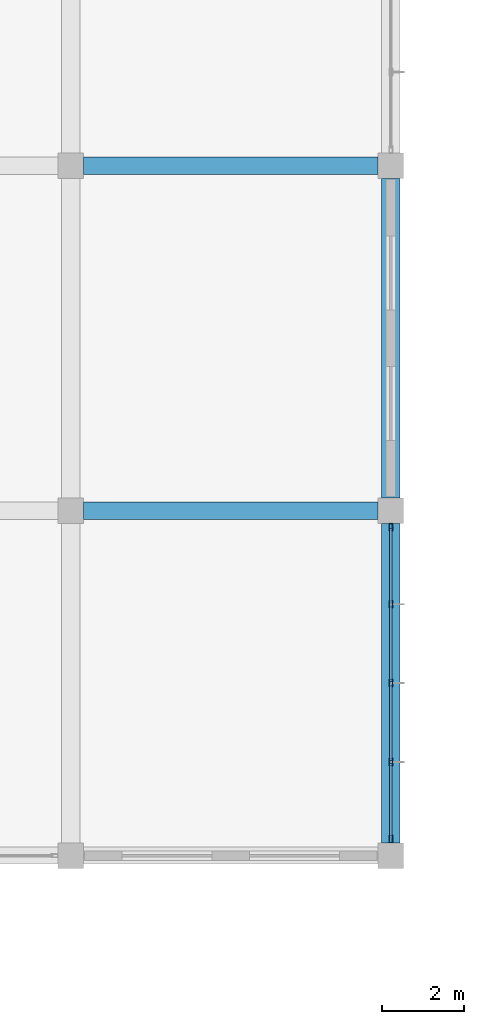
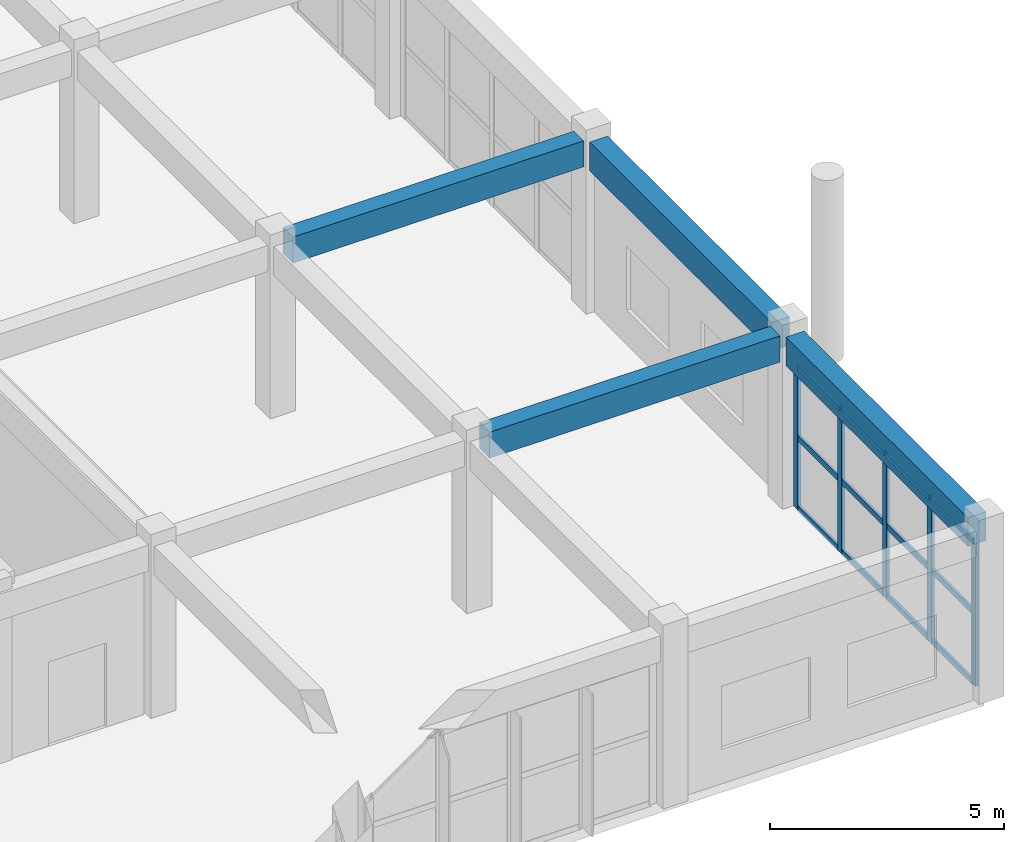
# One storey, part 92 of 167: 17 members, 4 beams, 1 element without a shape of its own.
"""IFC4 building model written with IfcOpenShell, lengths in metres."""

from ifc_helpers import new_model, si_unit, direction, frame, origin, origin_2d, place, context, subcontext, project, spatial, rectangle, hollow_rectangle, extrude, material, layer, layer_set, material_profile, profile_set, type_object, element, aggregate, save


model = new_model("IFC4")

# Units and contexts
model_context = context("Model", 3, precision=1e-05, world=origin(), true_north=direction((0.0, 1.0)))
body_context = subcontext(model_context, "Body", "Model", "MODEL_VIEW")
ifc_project = project(units=[si_unit("LENGTHUNIT", "METRE"), si_unit("AREAUNIT", "SQUARE_METRE"), si_unit("VOLUMEUNIT", "CUBIC_METRE"), si_unit("PLANEANGLEUNIT", "RADIAN"), si_unit("MASSUNIT", "GRAM", prefix="KILO")], contexts=[model_context])

# Site, building, storey
site_placement = place(None, origin())
site = spatial("IfcSite", under=ifc_project, at=site_placement, CompositionType="ELEMENT")
building_placement = place(site_placement, origin())
building = spatial("IfcBuilding", under=site, at=building_placement, Name="Zizhar Promenade General Hospital", CompositionType="ELEMENT")
storey_placement = place(building_placement, frame((0.0, 0.0, 9.60009765625)))
storey = spatial("IfcBuildingStorey", under=building, at=storey_placement, Name="L02", CompositionType="ELEMENT", Elevation=9.60009765625)

# Beams
ifc_material_1 = material(Name="Concrete C35/45", Category="concrete")
ifc_material_profile_1 = material_profile(ifc_material_1, rectangle(XDim=0.419921875, YDim=0.679931640625, at=origin_2d()))
ifc_profile_set_1 = profile_set([ifc_material_profile_1], Name="Concrete C35/45")
beam_type_1 = type_object("IfcBeamType", Name="BM-RC-420x680", PredefinedType="JOIST", material=ifc_profile_set_1)
for number, where, z_axis, x_axis, name in (
    (1, (187.510009765625, 50.39990234375, 4.1298828125), (1.0, 0.0, 0.0), (0.0, 1.0, 0.0), "Grid Beam X L02 (24-6)"),
    (2, (187.510009765625, 58.800048828125, 4.1298828125), (1.0, 0.0, 0.0), (0.0, 1.0, 0.0), "Grid Beam X L02 (24-7)"),
):
    element("IfcBeam", number, at=place(storey_placement, frame(where, z_axis=z_axis, x_axis=x_axis)), inside=storey, type_object=beam_type_1, Name=name, PredefinedType="JOIST", context=body_context, shape_type="SweptSolid", body=[
        extrude(rectangle(XDim=0.419921875, YDim=0.679931640625, at=origin_2d()), origin(), (0.0, 0.0, 1.0), 7.179931640625),
    ])
ifc_material_2 = material(Name="Concrete C35/45", Category="concrete")
ifc_material_profile_2 = material_profile(ifc_material_2, rectangle(XDim=0.449951171875, YDim=0.75, at=origin_2d()))
ifc_profile_set_2 = profile_set([ifc_material_profile_2], Name="Concrete C35/45")
beam_type_2 = type_object("IfcBeamType", Name="BM-RC-450x750", PredefinedType="BEAM", material=ifc_profile_set_2)
for number, where, z_axis, x_axis, name in (
    (3, (195.0, 42.31005859375, 4.094970703125), (0.0, 1.0, 0.0), (-1.0, 0.0, 0.0), "Grid Beam Y L02 (25-5)"),
    (4, (195.0, 50.7099609375, 4.094970703125), (0.0, 1.0, 0.0), (-1.0, 0.0, 0.0), "Grid Beam Y L02 (25-6)"),
):
    element("IfcBeam", number, at=place(storey_placement, frame(where, z_axis=z_axis, x_axis=x_axis)), inside=storey, type_object=beam_type_2, Name=name, PredefinedType="BEAM", context=body_context, shape_type="SweptSolid", body=[
        extrude(rectangle(XDim=0.449951171875, YDim=0.75, at=origin_2d()), origin(), (0.0, 0.0, 1.0), 7.780029296875),
    ])

# Curtain wall, members
ifc_material_3 = material(Name="Anodised aluminium 6063-T6 and low-E glass", Category="aluminium")
ifc_layer = layer(ifc_material_3, 0.159912109375)
ifc_layer_set = layer_set([ifc_layer], Name="Anodised aluminium 6063-T6 and low-E glass")
curtain_wall_type = type_object("IfcCurtainWallType", Name="CW-CLN-EXT", PredefinedType="NOTDEFINED", material=ifc_layer_set)
curtain_wall_placement = place(storey_placement, origin())
curtain_wall = element("IfcCurtainWall", 5, at=curtain_wall_placement, inside=storey, type_object=curtain_wall_type, Name="Outpatient East Curtain Wall L02-5", PredefinedType="NOTDEFINED")
ifc_material_4 = material(Name="Anodised aluminium 6063-T6", Category="aluminium")
ifc_material_profile_3 = material_profile(ifc_material_4, hollow_rectangle(XDim=0.080078125, YDim=0.179931640625, WallThickness=0.0048828125, at=origin_2d()))
ifc_profile_set_3 = profile_set([ifc_material_profile_3], Name="Anodised aluminium 6063-T6")
member_type_1 = type_object("IfcMemberType", Name="CWM-ALU-180x80", PredefinedType="MULLION", material=ifc_profile_set_3)
member_1_placement = place(storey_placement, frame((195.0, 50.0, 0.0), z_axis=(0.0, 0.0, 1.0), x_axis=(1.0, 0.0, 0.0)))
member_1 = element("IfcMember", 6, at=member_1_placement, type_object=member_type_1, Name="CW-09 mullion 1", PredefinedType="MULLION", context=body_context, shape_type="SweptSolid", body=[
    extrude(hollow_rectangle(XDim=0.080078125, YDim=0.179931640625, WallThickness=0.0048828125, at=origin_2d()), origin(), (0.0, 0.0, 1.0), 3.72998046875),
])
member_2_placement = place(storey_placement, frame((195.0, 48.1201171875, 0.0), z_axis=(0.0, 0.0, 1.0), x_axis=(1.0, 0.0, 0.0)))
member_2 = element("IfcMember", 7, at=member_2_placement, type_object=member_type_1, Name="CW-09 mullion 2", PredefinedType="MULLION", context=body_context, shape_type="SweptSolid", body=[
    extrude(hollow_rectangle(XDim=0.080078125, YDim=0.179931640625, WallThickness=0.0048828125, at=origin_2d()), origin(), (0.0, 0.0, 1.0), 3.72998046875),
])
member_3_placement = place(storey_placement, frame((195.0, 46.199951171875, 0.0), z_axis=(0.0, 0.0, 1.0), x_axis=(1.0, 0.0, 0.0)))
member_3 = element("IfcMember", 8, at=member_3_placement, type_object=member_type_1, Name="CW-09 mullion 3", PredefinedType="MULLION", context=body_context, shape_type="SweptSolid", body=[
    extrude(hollow_rectangle(XDim=0.080078125, YDim=0.179931640625, WallThickness=0.0048828125, at=origin_2d()), origin(), (0.0, 0.0, 1.0), 3.72998046875),
])
member_4_placement = place(storey_placement, frame((195.0, 44.280029296875, 0.0), z_axis=(0.0, 0.0, 1.0), x_axis=(1.0, 0.0, 0.0)))
member_4 = element("IfcMember", 9, at=member_4_placement, type_object=member_type_1, Name="CW-09 mullion 4", PredefinedType="MULLION", context=body_context, shape_type="SweptSolid", body=[
    extrude(hollow_rectangle(XDim=0.080078125, YDim=0.179931640625, WallThickness=0.0048828125, at=origin_2d()), origin(), (0.0, 0.0, 1.0), 3.72998046875),
])
member_5_placement = place(storey_placement, frame((195.0, 42.39990234375, 0.0), z_axis=(0.0, 0.0, 1.0), x_axis=(1.0, 0.0, 0.0)))
member_5 = element("IfcMember", 10, at=member_5_placement, type_object=member_type_1, Name="CW-09 mullion 5", PredefinedType="MULLION", context=body_context, shape_type="SweptSolid", body=[
    extrude(hollow_rectangle(XDim=0.080078125, YDim=0.179931640625, WallThickness=0.0048828125, at=origin_2d()), origin(), (0.0, 0.0, 1.0), 3.72998046875),
])
ifc_material_5 = material(Name="Anodised aluminium 6063-T6", Category="aluminium")
ifc_material_profile_4 = material_profile(ifc_material_5, hollow_rectangle(XDim=0.06005859375, YDim=0.14990234375, WallThickness=0.00390625, at=origin_2d()))
ifc_profile_set_4 = profile_set([ifc_material_profile_4], Name="Anodised aluminium 6063-T6")
member_type_2 = type_object("IfcMemberType", Name="CWT-ALU-150x60", PredefinedType="USERDEFINED", material=ifc_profile_set_4)
member_6_placement = place(storey_placement, frame((195.0, 49.9599609375, 0.02978515625), z_axis=(0.0, -1.0, 0.0), x_axis=(1.0, 0.0, 0.0)))
member_6 = element("IfcMember", 11, at=member_6_placement, type_object=member_type_2, Name="CW-09 transom 1.1", ObjectType="TRANSOM", PredefinedType="USERDEFINED", context=body_context, shape_type="SweptSolid", body=[
    extrude(hollow_rectangle(XDim=0.06005859375, YDim=0.14990234375, WallThickness=0.00390625, at=origin_2d()), origin(), (0.0, 0.0, 1.0), 1.800048828125),
])
member_7_placement = place(storey_placement, frame((195.0, 49.9599609375, 1.864990234375), z_axis=(0.0, -1.0, 0.0), x_axis=(1.0, 0.0, 0.0)))
member_7 = element("IfcMember", 12, at=member_7_placement, type_object=member_type_2, Name="CW-09 transom 1.2", ObjectType="TRANSOM", PredefinedType="USERDEFINED", context=body_context, shape_type="SweptSolid", body=[
    extrude(hollow_rectangle(XDim=0.06005859375, YDim=0.14990234375, WallThickness=0.00390625, at=origin_2d()), origin(), (0.0, 0.0, 1.0), 1.800048828125),
])
member_8_placement = place(storey_placement, frame((195.0, 49.9599609375, 3.699951171875), z_axis=(0.0, -1.0, 0.0), x_axis=(1.0, 0.0, 0.0)))
member_8 = element("IfcMember", 13, at=member_8_placement, type_object=member_type_2, Name="CW-09 transom 1.3", ObjectType="TRANSOM", PredefinedType="USERDEFINED", context=body_context, shape_type="SweptSolid", body=[
    extrude(hollow_rectangle(XDim=0.06005859375, YDim=0.14990234375, WallThickness=0.00390625, at=origin_2d()), origin(), (0.0, 0.0, 1.0), 1.800048828125),
])
member_9_placement = place(storey_placement, frame((195.0, 48.080078125, 0.02978515625), z_axis=(0.0, -1.0, 0.0), x_axis=(1.0, 0.0, 0.0)))
member_9 = element("IfcMember", 14, at=member_9_placement, type_object=member_type_2, Name="CW-09 transom 2.1", ObjectType="TRANSOM", PredefinedType="USERDEFINED", context=body_context, shape_type="SweptSolid", body=[
    extrude(hollow_rectangle(XDim=0.06005859375, YDim=0.14990234375, WallThickness=0.00390625, at=origin_2d()), origin(), (0.0, 0.0, 1.0), 1.840087890625),
])
member_10_placement = place(storey_placement, frame((195.0, 48.080078125, 1.864990234375), z_axis=(0.0, -1.0, 0.0), x_axis=(1.0, 0.0, 0.0)))
member_10 = element("IfcMember", 15, at=member_10_placement, type_object=member_type_2, Name="CW-09 transom 2.2", ObjectType="TRANSOM", PredefinedType="USERDEFINED", context=body_context, shape_type="SweptSolid", body=[
    extrude(hollow_rectangle(XDim=0.06005859375, YDim=0.14990234375, WallThickness=0.00390625, at=origin_2d()), origin(), (0.0, 0.0, 1.0), 1.840087890625),
])
member_11_placement = place(storey_placement, frame((195.0, 48.080078125, 3.699951171875), z_axis=(0.0, -1.0, 0.0), x_axis=(1.0, 0.0, 0.0)))
member_11 = element("IfcMember", 16, at=member_11_placement, type_object=member_type_2, Name="CW-09 transom 2.3", ObjectType="TRANSOM", PredefinedType="USERDEFINED", context=body_context, shape_type="SweptSolid", body=[
    extrude(hollow_rectangle(XDim=0.06005859375, YDim=0.14990234375, WallThickness=0.00390625, at=origin_2d()), origin(), (0.0, 0.0, 1.0), 1.840087890625),
])
member_12_placement = place(storey_placement, frame((195.0, 46.159912109375, 0.02978515625), z_axis=(0.0, -1.0, 0.0), x_axis=(1.0, 0.0, 0.0)))
member_12 = element("IfcMember", 17, at=member_12_placement, type_object=member_type_2, Name="CW-09 transom 3.1", ObjectType="TRANSOM", PredefinedType="USERDEFINED", context=body_context, shape_type="SweptSolid", body=[
    extrude(hollow_rectangle(XDim=0.06005859375, YDim=0.14990234375, WallThickness=0.00390625, at=origin_2d()), origin(), (0.0, 0.0, 1.0), 1.83984375),
])
member_13_placement = place(storey_placement, frame((195.0, 46.159912109375, 1.864990234375), z_axis=(0.0, -1.0, 0.0), x_axis=(1.0, 0.0, 0.0)))
member_13 = element("IfcMember", 18, at=member_13_placement, type_object=member_type_2, Name="CW-09 transom 3.2", ObjectType="TRANSOM", PredefinedType="USERDEFINED", context=body_context, shape_type="SweptSolid", body=[
    extrude(hollow_rectangle(XDim=0.06005859375, YDim=0.14990234375, WallThickness=0.00390625, at=origin_2d()), origin(), (0.0, 0.0, 1.0), 1.83984375),
])
member_14_placement = place(storey_placement, frame((195.0, 46.159912109375, 3.699951171875), z_axis=(0.0, -1.0, 0.0), x_axis=(1.0, 0.0, 0.0)))
member_14 = element("IfcMember", 19, at=member_14_placement, type_object=member_type_2, Name="CW-09 transom 3.3", ObjectType="TRANSOM", PredefinedType="USERDEFINED", context=body_context, shape_type="SweptSolid", body=[
    extrude(hollow_rectangle(XDim=0.06005859375, YDim=0.14990234375, WallThickness=0.00390625, at=origin_2d()), origin(), (0.0, 0.0, 1.0), 1.83984375),
])
member_15_placement = place(storey_placement, frame((195.0, 44.239990234375, 0.02978515625), z_axis=(0.0, -1.0, 0.0), x_axis=(1.0, 0.0, 0.0)))
member_15 = element("IfcMember", 20, at=member_15_placement, type_object=member_type_2, Name="CW-09 transom 4.1", ObjectType="TRANSOM", PredefinedType="USERDEFINED", context=body_context, shape_type="SweptSolid", body=[
    extrude(hollow_rectangle(XDim=0.06005859375, YDim=0.14990234375, WallThickness=0.00390625, at=origin_2d()), origin(), (0.0, 0.0, 1.0), 1.800048828125),
])
member_16_placement = place(storey_placement, frame((195.0, 44.239990234375, 1.864990234375), z_axis=(0.0, -1.0, 0.0), x_axis=(1.0, 0.0, 0.0)))
member_16 = element("IfcMember", 21, at=member_16_placement, type_object=member_type_2, Name="CW-09 transom 4.2", ObjectType="TRANSOM", PredefinedType="USERDEFINED", context=body_context, shape_type="SweptSolid", body=[
    extrude(hollow_rectangle(XDim=0.06005859375, YDim=0.14990234375, WallThickness=0.00390625, at=origin_2d()), origin(), (0.0, 0.0, 1.0), 1.800048828125),
])
member_17_placement = place(storey_placement, frame((195.0, 44.239990234375, 3.699951171875), z_axis=(0.0, -1.0, 0.0), x_axis=(1.0, 0.0, 0.0)))
member_17 = element("IfcMember", 22, at=member_17_placement, type_object=member_type_2, Name="CW-09 transom 4.3", ObjectType="TRANSOM", PredefinedType="USERDEFINED", context=body_context, shape_type="SweptSolid", body=[
    extrude(hollow_rectangle(XDim=0.06005859375, YDim=0.14990234375, WallThickness=0.00390625, at=origin_2d()), origin(), (0.0, 0.0, 1.0), 1.800048828125),
])
aggregate(curtain_wall, [member_1, member_2, member_3, member_4, member_5, member_6, member_7, member_8, member_9, member_10, member_11, member_12, member_13, member_14, member_15, member_16, member_17])

save(model, "model.ifc")
